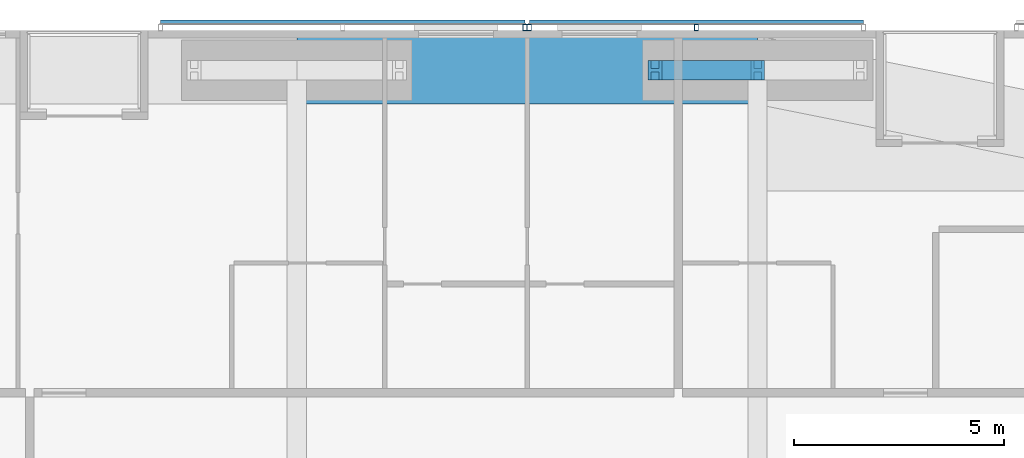
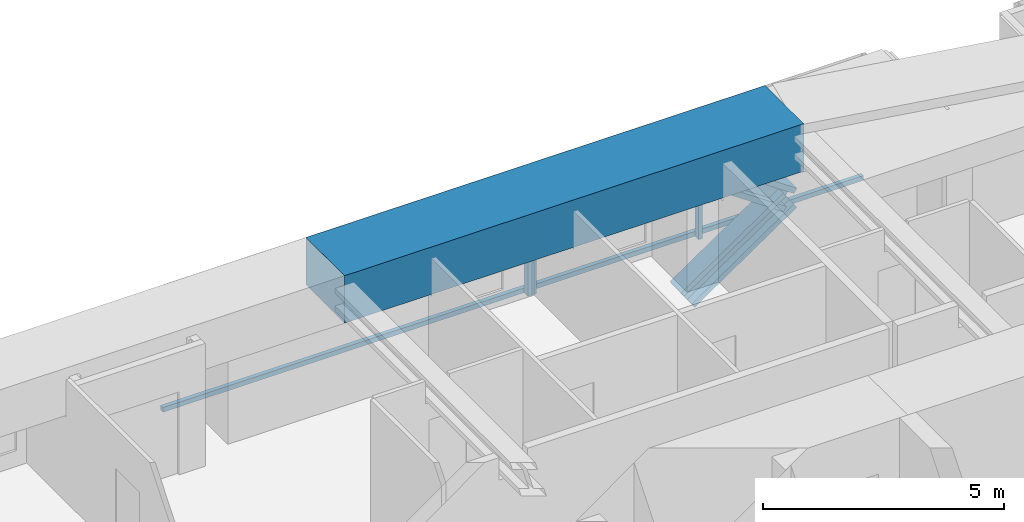
# One storey, part 14 of 24: 7 members, 1 beam, 2 elements without a shape of their own.
"""IFC4 building model written with IfcOpenShell, lengths in metres."""

from ifc_helpers import new_model, si_unit, direction, frame, origin, origin_2d, place, context, subcontext, project, spatial, rectangle, hollow_rectangle, i_section, extrude, material, material_profile, profile_set, type_object, element, aggregate, save


model = new_model("IFC4")

# Units and contexts
model_context = context("Model", 3, precision=1e-05, world=origin(), true_north=direction((0.0, 1.0)))
body_context = subcontext(model_context, "Body", "Model", "MODEL_VIEW")
ifc_project = project(units=[si_unit("LENGTHUNIT", "METRE"), si_unit("AREAUNIT", "SQUARE_METRE"), si_unit("VOLUMEUNIT", "CUBIC_METRE"), si_unit("PLANEANGLEUNIT", "RADIAN"), si_unit("MASSUNIT", "GRAM", prefix="KILO")], contexts=[model_context])

# Site, building, storey
site_placement = place(None, origin())
site = spatial("IfcSite", under=ifc_project, at=site_placement, CompositionType="ELEMENT")
building_placement = place(site_placement, origin())
building = spatial("IfcBuilding", under=site, at=building_placement, Name="Jalousie Tower", CompositionType="ELEMENT")
storey_placement = place(building_placement, frame((0.0, 0.0, 57.85009765625)))
storey = spatial("IfcBuildingStorey", under=building, at=storey_placement, Name="L15", CompositionType="ELEMENT", Elevation=57.85009765625)

# Members
ifc_material_1 = material(Name="Steel ASTM A992 Grade 50", Category="steel")
ifc_material_profile_1 = material_profile(ifc_material_1, i_section(OverallWidth=0.472412109375, OverallDepth=0.5791015625, WebThickness=0.094970703125, FlangeThickness=0.1298828125, at=origin_2d()), Name="W14X808")
ifc_profile_set_1 = profile_set([ifc_material_profile_1], Name="Steel ASTM A992 Grade 50")
member_type_1 = type_object("IfcMemberType", Name="PERIMETER BRACE W14X808", PredefinedType="BRACE", material=ifc_profile_set_1)
for number, where, z_axis, x_axis, name in (
    (1, (32.550048828125, 37.050048828125, -0.60009765625), (0.825500916831, 0.0, 0.564400776321), (0.0, 1.0, 0.0), "Perimeter brace 09 L15 part 1"),
    (2, (35.0, 37.050048828125, 1.074951171875), (-0.825500916831, 0.0, 0.564400776321), (0.0, -1.0, 0.0), "Perimeter brace 09 L15 part 4"),
):
    element("IfcMember", number, at=place(storey_placement, frame(where, z_axis=z_axis, x_axis=x_axis)), inside=storey, type_object=member_type_1, Name=name, PredefinedType="BRACE", context=body_context, shape_type="SweptSolid", body=[
        extrude(i_section(OverallWidth=0.472412109375, OverallDepth=0.5791015625, WebThickness=0.094970703125, FlangeThickness=0.1298828125, at=origin_2d()), origin(), (0.0, 0.0, 1.0), 2.9677734375),
    ])

# Beam
ifc_material_2 = material(Name="Concrete f'c 40 MPa", Category="concrete")
ifc_material_profile_2 = material_profile(ifc_material_2, rectangle(XDim=1.60009765625, YDim=1.199951171875, at=origin_2d()), Name="RC 1600x1200")
ifc_profile_set_2 = profile_set([ifc_material_profile_2], Name="Concrete f'c 40 MPa")
beam_type = type_object("IfcBeamType", Name="RC BEAM 1600x1200", PredefinedType="BEAM", material=ifc_profile_set_2)
beam_placement = place(storey_placement, frame((35.0, 37.050048828125, 2.75), z_axis=(-1.0, 0.0, 0.0), x_axis=(0.0, -1.0, 0.0)))
element("IfcBeam", 3, at=beam_placement, inside=storey, type_object=beam_type, Name="Edge band beam 09-10 under L16", PredefinedType="BEAM", context=body_context, shape_type="SweptSolid", body=[
    extrude(rectangle(XDim=1.60009765625, YDim=1.199951171875, at=origin_2d()), origin(), (0.0, 0.0, 1.0), 11.0),
])

# Curtain wall, members
ifc_material_3 = material(Name="Perforated aluminium sheet", Category="aluminium")
curtain_wall_type = type_object("IfcCurtainWallType", Name="SOLAR SCREEN SS-1", PredefinedType="USERDEFINED", material=ifc_material_3)
curtain_wall_1_placement = place(storey_placement, origin())
curtain_wall_1 = element("IfcCurtainWall", 4, at=curtain_wall_1_placement, inside=storey, type_object=curtain_wall_type, Name="Solar screen L15", ObjectType="SOLAR SCREEN SS-1", PredefinedType="USERDEFINED")
ifc_material_4 = material(Name="Steel ASTM A500 Grade C", Category="steel")
ifc_material_profile_3 = material_profile(ifc_material_4, hollow_rectangle(XDim=0.1015625, YDim=0.15234375, WallThickness=0.00634765625, at=origin_2d()), Name="HSS6X4X1/4")
ifc_profile_set_3 = profile_set([ifc_material_profile_3], Name="Steel ASTM A500 Grade C")
member_type_2 = type_object("IfcMemberType", Name="SOLAR SCREEN SS-1 MULLION", PredefinedType="MULLION", material=ifc_profile_set_3)
member_1_placement = place(storey_placement, frame((33.536865234375, 38.0712890625, -0.1201171875), z_axis=(0.0, 0.0, 1.0), x_axis=(-1.0, 0.0, 0.0)))
member_1 = element("IfcMember", 5, at=member_1_placement, type_object=member_type_2, Name="SS1 post 2", PredefinedType="MULLION", context=body_context, shape_type="SweptSolid", body=[
    extrude(hollow_rectangle(XDim=0.1015625, YDim=0.15234375, WallThickness=0.00634765625, at=origin_2d()), origin(), (0.0, 0.0, 1.0), 3.22998046875),
])
member_2_placement = place(storey_placement, frame((29.550048828125, 38.0712890625, -0.1201171875), z_axis=(0.0, 0.0, 1.0), x_axis=(-1.0, 0.0, 0.0)))
member_2 = element("IfcMember", 6, at=member_2_placement, type_object=member_type_2, Name="SS1 post 3", PredefinedType="MULLION", context=body_context, shape_type="SweptSolid", body=[
    extrude(hollow_rectangle(XDim=0.1015625, YDim=0.15234375, WallThickness=0.00634765625, at=origin_2d()), origin(), (0.0, 0.0, 1.0), 3.22998046875),
])

# Curtain wall, member
curtain_wall_2_placement = place(storey_placement, origin())
curtain_wall_2 = element("IfcCurtainWall", 7, at=curtain_wall_2_placement, inside=storey, type_object=curtain_wall_type, Name="Solar screen L15", ObjectType="SOLAR SCREEN SS-1", PredefinedType="USERDEFINED")
member_3_placement = place(storey_placement, frame((29.449951171875, 38.0712890625, -0.1201171875), z_axis=(0.0, 0.0, 1.0), x_axis=(-1.0, 0.0, 0.0)))
member_3 = element("IfcMember", 8, at=member_3_placement, type_object=member_type_2, Name="SS1 post 1", PredefinedType="MULLION", context=body_context, shape_type="SweptSolid", body=[
    extrude(hollow_rectangle(XDim=0.1015625, YDim=0.15234375, WallThickness=0.00634765625, at=origin_2d()), origin(), (0.0, 0.0, 1.0), 3.22998046875),
])

# Member
ifc_material_5 = material(Name="Extruded aluminium screen rail", Category="aluminium")
ifc_material_profile_4 = material_profile(ifc_material_5, rectangle(XDim=0.1015625, YDim=0.1201171875, at=origin_2d()), Name="RAIL 102x120")
ifc_profile_set_4 = profile_set([ifc_material_profile_4], Name="Extruded aluminium screen rail")
member_type_3 = type_object("IfcMemberType", Name="SOLAR SCREEN SS-1 TRANSOM", PredefinedType="USERDEFINED", material=ifc_profile_set_4)
member_4_placement = place(storey_placement, frame((37.523681640625, 38.1982421875, -0.06005859375), z_axis=(-1.0, 0.0, 0.0), x_axis=(0.0, -1.0, 0.0)))
member_4 = element("IfcMember", 9, at=member_4_placement, type_object=member_type_3, Name="SS1 rail", ObjectType="TRANSOM", PredefinedType="USERDEFINED", context=body_context, shape_type="SweptSolid", body=[
    extrude(rectangle(XDim=0.1015625, YDim=0.1201171875, at=origin_2d()), origin(), (0.0, 0.0, 1.0), 7.9736328125),
])

aggregate(curtain_wall_1, [member_1, member_2, member_4])

member_5_placement = place(storey_placement, frame((29.449951171875, 38.1982421875, -0.06005859375), z_axis=(-1.0, 0.0, 0.0), x_axis=(0.0, -1.0, 0.0)))
member_5 = element("IfcMember", 10, at=member_5_placement, type_object=member_type_3, Name="SS1 rail", ObjectType="TRANSOM", PredefinedType="USERDEFINED", context=body_context, shape_type="SweptSolid", body=[
    extrude(rectangle(XDim=0.1015625, YDim=0.1201171875, at=origin_2d()), origin(), (0.0, 0.0, 1.0), 8.699951171875),
])

aggregate(curtain_wall_2, [member_3, member_5])

save(model, "model.ifc")
